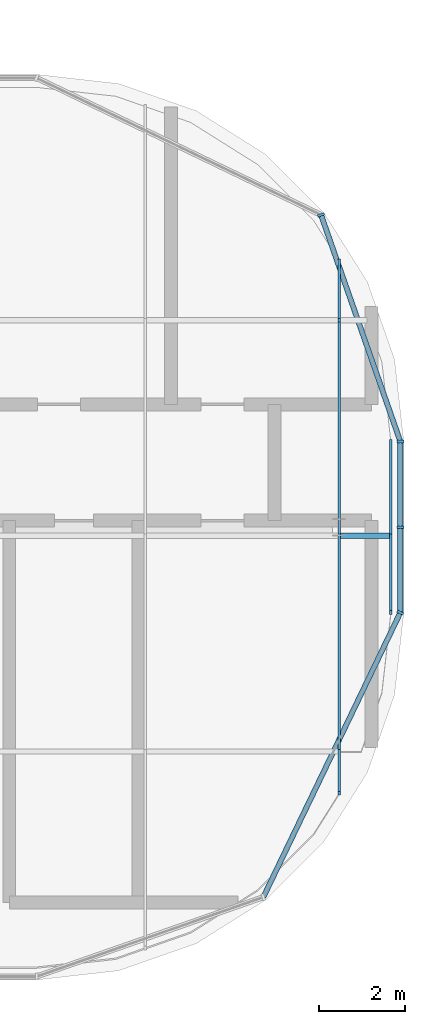
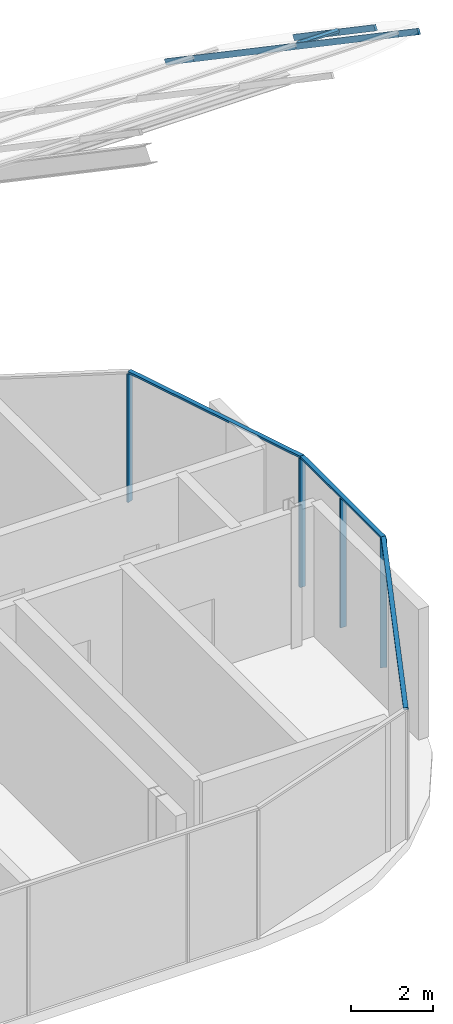
# One storey, part 17 of 25: 14 members, 5 elements without a shape of their own.
"""IFC4 building model written with IfcOpenShell, lengths in metres."""

from ifc_helpers import new_model, si_unit, direction, frame, origin, origin_2d, place, context, subcontext, project, spatial, rectangle, extrude, material, material_profile, profile_set, type_object, element, aggregate, save


model = new_model("IFC4")

# Units and contexts
model_context = context("Model", 3, precision=1e-05, world=origin(), true_north=direction((0.0, 1.0)))
body_context = subcontext(model_context, "Body", "Model", "MODEL_VIEW")
ifc_project = project(units=[si_unit("LENGTHUNIT", "METRE"), si_unit("AREAUNIT", "SQUARE_METRE"), si_unit("VOLUMEUNIT", "CUBIC_METRE"), si_unit("PLANEANGLEUNIT", "RADIAN"), si_unit("MASSUNIT", "GRAM", prefix="KILO")], contexts=[model_context])

# Site, building, storey
site_placement = place(None, origin())
site = spatial("IfcSite", under=ifc_project, at=site_placement, CompositionType="ELEMENT")
building_placement = place(site_placement, origin())
building = spatial("IfcBuilding", under=site, at=building_placement, Name="Ogive Portal Towers", CompositionType="ELEMENT")
storey_placement = place(building_placement, frame((0.0, 0.0, 272.89990234375)))
storey = spatial("IfcBuildingStorey", under=building, at=storey_placement, Name="L66", CompositionType="ELEMENT", Elevation=272.89990234375)

# Curtain wall, member
ifc_material_1 = material(Name="Glass, clear low-iron insulated glazing", Category="glass")
curtain_wall_type = type_object("IfcCurtainWallType", Name="CW CROWN GLAZING", PredefinedType="NOTDEFINED", material=ifc_material_1)
curtain_wall_1_placement = place(storey_placement, origin())
curtain_wall_1 = element("IfcCurtainWall", 1, at=curtain_wall_1_placement, inside=storey, type_object=curtain_wall_type, Name="A:L66:c08:cw", PredefinedType="NOTDEFINED")
ifc_material_2 = material(Name="Aluminium 6063 anodised", Category="aluminium")
ifc_material_profile_1 = material_profile(ifc_material_2, rectangle(XDim=0.159912109375, YDim=0.06005859375, at=origin_2d()), Name="AL 60x160")
ifc_profile_set_1 = profile_set([ifc_material_profile_1], Name="Aluminium 6063 anodised")
member_type_1 = type_object("IfcMemberType", Name="CW MULLION 60x160", PredefinedType="MULLION", material=ifc_profile_set_1)
member_1_placement = place(storey_placement, frame((95.919921875, 28.518310546875, 0.0), z_axis=(0.0, 0.0, 1.0), x_axis=(-0.900968867905, 0.433883739113, 0.0)))
member_1 = element("IfcMember", 2, at=member_1_placement, type_object=member_type_1, Name="mullion", PredefinedType="MULLION", context=body_context, shape_type="SweptSolid", body=[
    extrude(rectangle(XDim=0.159912109375, YDim=0.06005859375, at=origin_2d()), origin(), (0.0, 0.0, 1.0), 3.840087890625),
])

# Curtain wall, members
curtain_wall_2_placement = place(storey_placement, origin())
curtain_wall_2 = element("IfcCurtainWall", 3, at=curtain_wall_2_placement, inside=storey, type_object=curtain_wall_type, Name="A:L66:c09:cw", PredefinedType="NOTDEFINED")
member_2_placement = place(storey_placement, frame((95.919921875, 30.5, 0.0), z_axis=(0.0, 0.0, 1.0), x_axis=(-1.0, 0.0, 0.0)))
member_2 = element("IfcMember", 4, at=member_2_placement, type_object=member_type_1, Name="mullion", PredefinedType="MULLION", context=body_context, shape_type="SweptSolid", body=[
    extrude(rectangle(XDim=0.159912109375, YDim=0.06005859375, at=origin_2d()), origin(), (0.0, 0.0, 1.0), 3.840087890625),
])
member_3_placement = place(storey_placement, frame((95.919921875, 32.486328125, 0.0), z_axis=(0.0, 0.0, 1.0), x_axis=(-1.0, 0.0, 0.0)))
member_3 = element("IfcMember", 5, at=member_3_placement, type_object=member_type_1, Name="mullion", PredefinedType="MULLION", context=body_context, shape_type="SweptSolid", body=[
    extrude(rectangle(XDim=0.159912109375, YDim=0.06005859375, at=origin_2d()), origin(), (0.0, 0.0, 1.0), 3.840087890625),
])

# Curtain wall, member
curtain_wall_3_placement = place(storey_placement, origin())
curtain_wall_3 = element("IfcCurtainWall", 6, at=curtain_wall_3_placement, inside=storey, type_object=curtain_wall_type, Name="A:L66:c10:cw", PredefinedType="NOTDEFINED")
member_4_placement = place(storey_placement, frame((94.0810546875, 37.741943359375, 0.0), z_axis=(0.0, 0.0, 1.0), x_axis=(-0.943883330307, -0.33027906196, 0.0)))
member_4 = element("IfcMember", 7, at=member_4_placement, type_object=member_type_1, Name="mullion", PredefinedType="MULLION", context=body_context, shape_type="SweptSolid", body=[
    extrude(rectangle(XDim=0.159912109375, YDim=0.06005859375, at=origin_2d()), origin(), (0.0, 0.0, 1.0), 3.840087890625),
])

# Curtain wall, members
curtain_wall_4_placement = place(storey_placement, origin())
curtain_wall_4 = element("IfcCurtainWall", 8, at=curtain_wall_4_placement, inside=storey, type_object=curtain_wall_type, Name="Crown roof glazing 5", PredefinedType="NOTDEFINED")
ifc_material_profile_2 = material_profile(ifc_material_2, rectangle(XDim=0.06005859375, YDim=0.159912109375, at=origin_2d()), Name="AL 60x160 rafter")
ifc_profile_set_2 = profile_set([ifc_material_profile_2], Name="Aluminium 6063 anodised")
member_type_2 = type_object("IfcMemberType", Name="CW ROOF RAFTER 60x160", PredefinedType="MULLION", material=ifc_profile_set_2)
member_5_placement = place(storey_placement, frame((94.5, 24.328369140625, 21.992431640625), z_axis=(0.0, 0.82686853514, -0.562395257443), x_axis=(-1.0, 0.0, 0.0)))
member_5 = element("IfcMember", 9, at=member_5_placement, type_object=member_type_2, Name="roof rafter", PredefinedType="MULLION", context=body_context, shape_type="SweptSolid", body=[
    extrude(rectangle(XDim=0.06005859375, YDim=0.159912109375, at=origin_2d()), origin(), (0.0, 0.0, 1.0), 1.175048828125),
])
member_6_placement = place(storey_placement, frame((94.5, 25.300048828125, 21.33154296875), z_axis=(0.0, 0.82693401206, -0.562298977146), x_axis=(-1.0, 0.0, 0.0)))
member_6 = element("IfcMember", 10, at=member_6_placement, type_object=member_type_2, Name="roof rafter", PredefinedType="MULLION", context=body_context, shape_type="SweptSolid", body=[
    extrude(rectangle(XDim=0.06005859375, YDim=0.159912109375, at=origin_2d()), origin(), (0.0, 0.0, 1.0), 6.04638671875),
])
member_7_placement = place(storey_placement, frame((94.5, 30.300048828125, 17.931640625), z_axis=(0.0, 0.82693401206, -0.562298977146), x_axis=(-1.0, 0.0, 0.0)))
member_7 = element("IfcMember", 11, at=member_7_placement, type_object=member_type_2, Name="roof rafter", PredefinedType="MULLION", context=body_context, shape_type="SweptSolid", body=[
    extrude(rectangle(XDim=0.06005859375, YDim=0.159912109375, at=origin_2d()), origin(), (0.0, 0.0, 1.0), 6.04638671875),
])
member_8_placement = place(storey_placement, frame((94.5, 35.300048828125, 14.53173828125), z_axis=(0.0, 0.826874485259, -0.562386509109), x_axis=(-1.0, 0.0, 0.0)))
member_8 = element("IfcMember", 12, at=member_8_placement, type_object=member_type_2, Name="roof rafter", PredefinedType="MULLION", context=body_context, shape_type="SweptSolid", body=[
    extrude(rectangle(XDim=0.06005859375, YDim=0.159912109375, at=origin_2d()), origin(), (0.0, 0.0, 1.0), 1.65869140625),
])
aggregate(curtain_wall_4, [member_5, member_6, member_7, member_8])

curtain_wall_5_placement = place(storey_placement, origin())
curtain_wall_5 = element("IfcCurtainWall", 13, at=curtain_wall_5_placement, inside=storey, type_object=curtain_wall_type, Name="Crown roof glazing 6", PredefinedType="NOTDEFINED")
member_9_placement = place(storey_placement, frame((95.699951171875, 30.300048828125, 17.931640625), z_axis=(0.0, -0.826911761728, 0.562331697769), x_axis=(1.0, 0.0, 0.0)))
member_9 = element("IfcMember", 14, at=member_9_placement, type_object=member_type_2, Name="roof rafter", PredefinedType="MULLION", context=body_context, shape_type="SweptSolid", body=[
    extrude(rectangle(XDim=0.06005859375, YDim=0.159912109375, at=origin_2d()), origin(), (0.0, 0.0, 1.0), 2.156494140625),
])
member_10_placement = place(storey_placement, frame((95.699951171875, 32.483154296875, 16.447021484375), z_axis=(0.0, -0.82690758175, 0.5623378444), x_axis=(1.0, 0.0, 0.0)))
member_10 = element("IfcMember", 15, at=member_10_placement, type_object=member_type_2, Name="roof rafter", PredefinedType="MULLION", context=body_context, shape_type="SweptSolid", body=[
    extrude(rectangle(XDim=0.06005859375, YDim=0.159912109375, at=origin_2d()), origin(), (0.0, 0.0, 1.0), 2.64013671875),
])

# Member
ifc_material_profile_3 = material_profile(ifc_material_2, rectangle(XDim=0.1201171875, YDim=0.06005859375, at=origin_2d()), Name="AL 120x60")
ifc_profile_set_3 = profile_set([ifc_material_profile_3], Name="Aluminium 6063 anodised")
member_type_3 = type_object("IfcMemberType", Name="CW TRANSOM 60x120", PredefinedType="USERDEFINED", material=ifc_profile_set_3)
member_11_placement = place(storey_placement, frame((92.741943359375, 21.9189453125, 3.8701171875), z_axis=(0.433871738997, 0.900974646757, 0.0), x_axis=(-0.900974646757, 0.433871738997, 0.0)))
member_11 = element("IfcMember", 16, at=member_11_placement, type_object=member_type_3, Name="transom", ObjectType="TRANSOM", PredefinedType="USERDEFINED", context=body_context, shape_type="SweptSolid", body=[
    extrude(rectangle(XDim=0.1201171875, YDim=0.06005859375, at=origin_2d()), origin(), (0.0, 0.0, 1.0), 7.32470703125),
])

aggregate(curtain_wall_1, [member_11, member_1])

member_12_placement = place(storey_placement, frame((95.919921875, 28.518310546875, 3.8701171875), z_axis=(0.0, 1.0, 0.0), x_axis=(-1.0, 0.0, 0.0)))
member_12 = element("IfcMember", 17, at=member_12_placement, type_object=member_type_3, Name="transom", ObjectType="TRANSOM", PredefinedType="USERDEFINED", context=body_context, shape_type="SweptSolid", body=[
    extrude(rectangle(XDim=0.1201171875, YDim=0.06005859375, at=origin_2d()), origin(), (0.0, 0.0, 1.0), 3.968017578125),
])

aggregate(curtain_wall_2, [member_12, member_2, member_3])

member_13_placement = place(storey_placement, frame((95.919921875, 32.486328125, 3.8701171875), z_axis=(-0.330254721593, 0.943891847017, 0.0), x_axis=(-0.943891847017, -0.330254721593, 0.0)))
member_13 = element("IfcMember", 18, at=member_13_placement, type_object=member_type_3, Name="transom", ObjectType="TRANSOM", PredefinedType="USERDEFINED", context=body_context, shape_type="SweptSolid", body=[
    extrude(rectangle(XDim=0.1201171875, YDim=0.06005859375, at=origin_2d()), origin(), (0.0, 0.0, 1.0), 5.568115234375),
])

aggregate(curtain_wall_3, [member_13, member_4])

member_14_placement = place(storey_placement, frame((94.530029296875, 30.300048828125, 17.9921875), z_axis=(1.0, 0.0, 0.0), x_axis=(0.0, 1.0, 0.0)))
member_14 = element("IfcMember", 19, at=member_14_placement, type_object=member_type_3, Name="roof transom", ObjectType="TRANSOM", PredefinedType="USERDEFINED", context=body_context, shape_type="SweptSolid", body=[
    extrude(rectangle(XDim=0.1201171875, YDim=0.06005859375, at=origin_2d()), origin(), (0.0, 0.0, 1.0), 1.139892578125),
])

aggregate(curtain_wall_5, [member_9, member_10, member_14])

save(model, "model.ifc")
